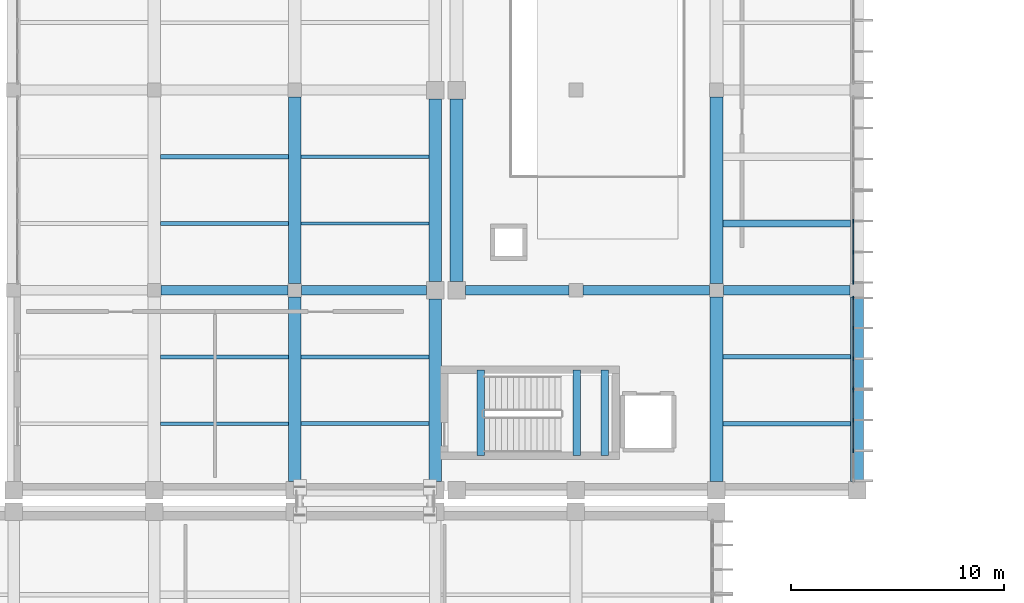
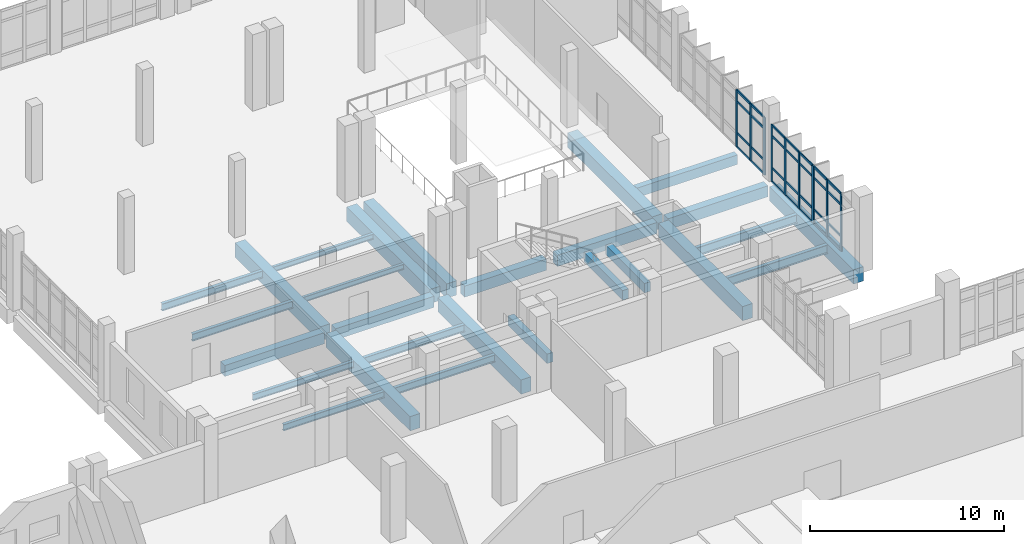
# One storey, part 36 of 90: 38 members, 27 beams, 3 elements without a shape of their own.
"""IFC4 building model written with IfcOpenShell, lengths in metres."""

import ifcopenshell
import ifcopenshell.guid

model = None  # the IFC model being written
_history = None  # IfcOwnerHistory: only IFC2X3 demands one
_inside = {}  # id of a spatial element -> (the spatial element, [elements in it])
_under = {}  # id of a project, library or spatial element -> (it, [spatial elements below it])
_declared = {}  # id of a project -> (the project, [libraries it declares])
_typed = {}  # id of a type object -> (the type object, [elements of that type])
_made_of = {}  # id of a material, layer set ... -> (it, [elements and type objects made of it])


def new_model(schema):
    """Start an empty IFC model of exactly this schema.

    Asked for "IFC4X3", IfcOpenShell would pick the latest addendum, in which some entities
    have other attributes; the version numbers below select the first issue.
    IFC2X3 requires an IfcOwnerHistory on every rooted entity: one is made here for all.
    """
    global model, _history
    if schema == "IFC4X3":
        model = ifcopenshell.file(schema_version=(4, 3, 0, 0))
    else:
        model = ifcopenshell.file(schema=schema)
    _inside.clear()
    _under.clear()
    _declared.clear()
    _typed.clear()
    _made_of.clear()
    _history = None
    if model.schema == "IFC2X3":
        org = make("IfcOrganization", Name="unknown")
        user = make(
            "IfcPersonAndOrganization",
            ThePerson=make("IfcPerson", FamilyName="unknown"),
            TheOrganization=org,
        )
        app = make(
            "IfcApplication",
            ApplicationDeveloper=org,
            Version="unknown",
            ApplicationFullName="unknown",
            ApplicationIdentifier="unknown",
        )
        _history = make(
            "IfcOwnerHistory",
            OwningUser=user,
            OwningApplication=app,
            ChangeAction="ADDED",
            CreationDate=0,
        )
    return model


def make(cls, **values):
    """One entity of the class cls with the attributes given. An attribute that is None is left unset."""
    return model.create_entity(
        cls, **{name: value for name, value in values.items() if value is not None}
    )


def rooted(cls, **values):
    """An entity with a GlobalId (a new one), such as an element, a storey or a relation."""
    return make(cls, GlobalId=ifcopenshell.guid.new(), OwnerHistory=_history, **values)


def si_unit(unit_type, name, prefix=None):
    """IfcSIUnit, for example si_unit("LENGTHUNIT", "METRE", prefix="MILLI")."""
    return make("IfcSIUnit", UnitType=unit_type, Prefix=prefix, Name=name)


def assignment(units):
    """IfcUnitAssignment: the units of a project."""
    return None if units is None else make("IfcUnitAssignment", Units=units)


def point(xyz):
    """IfcCartesianPoint."""
    return None if xyz is None else make("IfcCartesianPoint", Coordinates=xyz)


def direction(xyz):
    """IfcDirection."""
    return None if xyz is None else make("IfcDirection", DirectionRatios=xyz)


def frame(location, z_axis=None, x_axis=None):
    """IfcAxis2Placement3D, a coordinate frame: its origin and axes. An axis left out is left unset."""
    return make(
        "IfcAxis2Placement3D",
        Location=point(location),
        Axis=direction(z_axis),
        RefDirection=direction(x_axis),
    )


def frame_2d(location, x_axis=None):
    """IfcAxis2Placement2D, a coordinate frame in the plane: its origin and x axis."""
    return make(
        "IfcAxis2Placement2D", Location=point(location), RefDirection=direction(x_axis)
    )


def origin():
    """The frame at (0, 0, 0) with its axes left unset."""
    return frame((0.0, 0.0, 0.0))


def origin_2d():
    """The frame at (0, 0) in the plane with its x axis left unset."""
    return frame_2d((0.0, 0.0))


def place(relative_to, where):
    """IfcLocalPlacement: puts the frame where relative to a parent placement (None: the world)."""
    return make(
        "IfcLocalPlacement", PlacementRelTo=relative_to, RelativePlacement=where
    )


def context(
    kind, dimensions, precision=None, world=None, true_north=None, identifier=None
):
    """IfcGeometricRepresentationContext, for example the 3D "Model" context."""
    return make(
        "IfcGeometricRepresentationContext",
        ContextIdentifier=identifier,
        ContextType=kind,
        CoordinateSpaceDimension=dimensions,
        Precision=precision,
        WorldCoordinateSystem=world,
        TrueNorth=true_north,
    )


def subcontext(parent, identifier, kind, view, scale=None):
    """IfcGeometricRepresentationSubContext, for example "Body" below "Model"."""
    return make(
        "IfcGeometricRepresentationSubContext",
        ContextIdentifier=identifier,
        ContextType=kind,
        ParentContext=parent,
        TargetScale=scale,
        TargetView=view,
    )


def project(units=None, contexts=None):
    """IfcProject with its units and contexts."""
    return rooted(
        "IfcProject",
        Name="project",
        RepresentationContexts=contexts,
        UnitsInContext=assignment(units),
    )


def spatial(cls, under=None, at=None, **own):
    """A site, building, storey or space (cls), placed at a placement, below another one or the project."""
    s = rooted(cls, ObjectPlacement=at, **own)
    if under is not None:
        _under.setdefault(under.id(), (under, []))[1].append(s)
    return s


def profile(cls, at=None, kind="AREA", **sizes):
    """A parametric profile (cls). Its sizes go by their IFC names, for example OverallWidth=200.0."""
    return make(cls, ProfileType=kind, Position=at, **sizes)


def rectangle(**sizes):
    """IfcRectangleProfileDef."""
    return profile("IfcRectangleProfileDef", **sizes)


def i_section(**sizes):
    """IfcIShapeProfileDef."""
    return profile("IfcIShapeProfileDef", **sizes)


def extrude(swept, where, along, depth):
    """IfcExtrudedAreaSolid: the profile swept, set in the frame where, extruded along a direction by depth."""
    return make(
        "IfcExtrudedAreaSolid",
        SweptArea=swept,
        Position=where,
        ExtrudedDirection=direction(along),
        Depth=depth,
    )


def shape(context_of_items, identifier, shape_type, items):
    """IfcShapeRepresentation: the items that make up one representation, for example the "Body"."""
    return make(
        "IfcShapeRepresentation",
        ContextOfItems=context_of_items,
        RepresentationIdentifier=identifier,
        RepresentationType=shape_type,
        Items=items,
    )


def material(Name=None, Category=None):
    """IfcMaterial."""
    return make("IfcMaterial", Name=Name, Category=Category)


def layer(
    of_material, thickness, ventilated=None, Name=None, Category=None, Priority=None
):
    """IfcMaterialLayer: one layer of a wall or slab, of a material (None: an air gap)."""
    return make(
        "IfcMaterialLayer",
        Material=of_material,
        LayerThickness=thickness,
        IsVentilated=ventilated,
        Name=Name,
        Category=Category,
        Priority=Priority,
    )


def layer_set(layers, Name=None):
    """IfcMaterialLayerSet."""
    return make("IfcMaterialLayerSet", MaterialLayers=layers, LayerSetName=Name)


def material_profile(
    of_material, cross_section, Name=None, Category=None, Priority=None
):
    """IfcMaterialProfile: a cross section and its material."""
    return make(
        "IfcMaterialProfile",
        Name=Name,
        Material=of_material,
        Profile=cross_section,
        Priority=Priority,
        Category=Category,
    )


def profile_set(profiles, Name=None, composite=None):
    """IfcMaterialProfileSet."""
    return make(
        "IfcMaterialProfileSet",
        Name=Name,
        MaterialProfiles=profiles,
        CompositeProfile=composite,
    )


def made_of(thing, what):
    """Note that an element or type object is made of a material, layer set ...; save() writes the relation."""
    if what is not None:
        _made_of.setdefault(what.id(), (what, []))[1].append(thing)
    return thing


def type_object(cls, material=None, **own):
    """A type object (cls), such as IfcWallType, which elements share."""
    return made_of(rooted(cls, **own), material)


def element(
    cls,
    number,
    at=None,
    inside=None,
    cuts=None,
    type_object=None,
    material=None,
    context=None,
    identifier="Body",
    shape_type=None,
    held_by="IfcProductDefinitionShape",
    body=None,
    shapes=None,
    **own,
):
    """One element of the class cls, such as IfcWall. Its Tag is "e" and its number.

    at: its placement. inside: the storey or other place that contains it. cuts: it is an
    opening in that element (IfcRelVoidsElement). A single representation is given by context,
    identifier, shape_type and body (its items); several are given by shapes. held_by: the class
    of the entity that holds the representations. save() writes the other relations.
    """
    e = rooted(cls, Tag="e%d" % number, ObjectPlacement=at, **own)
    if body is not None:
        shapes = [shape(context, identifier, shape_type, body)]
    if shapes is not None:
        e.Representation = make(held_by, Representations=shapes)
    if inside is not None:
        _inside.setdefault(inside.id(), (inside, []))[1].append(e)
    if cuts is not None:
        rooted(
            "IfcRelVoidsElement", RelatingBuildingElement=cuts, RelatedOpeningElement=e
        )
    if type_object is not None:
        _typed.setdefault(type_object.id(), (type_object, []))[1].append(e)
    return made_of(e, material)


def aggregate(whole, parts):
    """IfcRelAggregates: a whole, such as a stair, and the parts it consists of."""
    return rooted("IfcRelAggregates", RelatingObject=whole, RelatedObjects=parts)


def save(model, path):
    """Write the relations noted so far, then the file.

    IfcRelAggregates (storeys below a building ...), IfcRelContainedInSpatialStructure (elements
    in a storey), IfcRelDefinesByType, IfcRelAssociatesMaterial and IfcRelDeclares: one each for
    every whole, place, type object, material and project.
    """
    for whole, parts in _under.values():
        aggregate(whole, parts)
    for where, things in _inside.values():
        rooted(
            "IfcRelContainedInSpatialStructure",
            RelatedElements=things,
            RelatingStructure=where,
        )
    for kind, things in _typed.values():
        rooted("IfcRelDefinesByType", RelatedObjects=things, RelatingType=kind)
    for what, things in _made_of.values():
        rooted("IfcRelAssociatesMaterial", RelatedObjects=things, RelatingMaterial=what)
    for by, libraries in _declared.values():
        rooted("IfcRelDeclares", RelatingContext=by, RelatedDefinitions=libraries)
    model.write(path)


model = new_model("IFC4")

# Units and contexts
model_context = context("Model", 3, precision=1e-05, world=origin(), true_north=direction((0.0, 1.0)))
body_context = subcontext(model_context, "Body", "Model", "MODEL_VIEW")
ifc_project = project(units=[si_unit("LENGTHUNIT", "METRE"), si_unit("AREAUNIT", "SQUARE_METRE"), si_unit("VOLUMEUNIT", "CUBIC_METRE"), si_unit("PLANEANGLEUNIT", "RADIAN"), si_unit("MASSUNIT", "GRAM", prefix="KILO")], contexts=[model_context])

# Site, building, storey
site_placement = place(None, origin())
site = spatial("IfcSite", under=ifc_project, at=site_placement, CompositionType="ELEMENT")
building_placement = place(site_placement, origin())
building = spatial("IfcBuilding", under=site, at=building_placement, Name="Kelarvand Opera House", CompositionType="ELEMENT")
storey_placement = place(building_placement, frame((0.0, 0.0, 5.39990234375)))
storey = spatial("IfcBuildingStorey", under=building, at=storey_placement, Name="L01", CompositionType="ELEMENT", Elevation=5.39990234375)

# Curtain wall, members
ifc_material_1 = material(Name="Thermally broken aluminium and low-E glazing", Category="aluminium")
ifc_layer_1 = layer(ifc_material_1, 0.179931640625, Name="Thermally broken aluminium and low-E glazing", Category="aluminium")
ifc_layer_set_1 = layer_set([ifc_layer_1], Name="Thermally broken aluminium and low-E glazing")
curtain_wall_type_1 = type_object("IfcCurtainWallType", Name="Unitised Low-E Curtain Wall 4361x3600 Mod 1450 CWF-42", PredefinedType="USERDEFINED", material=ifc_layer_set_1)
curtain_wall_1_placement = place(storey_placement, origin())
curtain_wall_1 = element("IfcCurtainWall", 1, at=curtain_wall_1_placement, inside=storey, type_object=curtain_wall_type_1, Name="V5 L01 Curtain Wall CWF-42 (177)", ObjectType="UNITISED CURTAIN WALL", PredefinedType="USERDEFINED")
ifc_material_2 = material(Name="Thermally broken anodised aluminium", Category="aluminium")
ifc_material_profile_1 = material_profile(ifc_material_2, rectangle(XDim=0.06494140625, YDim=0.179931640625, at=origin_2d()), Name="ALU MULLION 65x180", Category="aluminium")
ifc_profile_set_1 = profile_set([ifc_material_profile_1], Name="Thermally broken anodised aluminium")
member_type_1 = type_object("IfcMemberType", Name="Curtain Wall Mullion 65x180 Aluminium", PredefinedType="MULLION", material=ifc_profile_set_1)
member_1_placement = place(storey_placement, frame((135.02001953125, 99.844970703125, 0.0), z_axis=(0.0, 0.0, 1.0), x_axis=(1.0, 0.0, 0.0)))
member_1 = element("IfcMember", 2, at=member_1_placement, type_object=member_type_1, Name="CWF-42 mullion 2", PredefinedType="MULLION", context=body_context, shape_type="SweptSolid", body=[
    extrude(rectangle(XDim=0.06494140625, YDim=0.179931640625, at=origin_2d()), origin(), (0.0, 0.0, 1.0), 3.60009765625),
])
member_2_placement = place(storey_placement, frame((135.02001953125, 98.389892578125, 0.0), z_axis=(0.0, 0.0, 1.0), x_axis=(1.0, 0.0, 0.0)))
member_2 = element("IfcMember", 3, at=member_2_placement, type_object=member_type_1, Name="CWF-42 mullion 3", PredefinedType="MULLION", context=body_context, shape_type="SweptSolid", body=[
    extrude(rectangle(XDim=0.06494140625, YDim=0.179931640625, at=origin_2d()), origin(), (0.0, 0.0, 1.0), 3.60009765625),
])
member_3_placement = place(storey_placement, frame((135.02001953125, 96.967529296875, 0.0), z_axis=(0.0, 0.0, 1.0), x_axis=(1.0, 0.0, 0.0)))
member_3 = element("IfcMember", 4, at=member_3_placement, type_object=member_type_1, Name="CWF-42 mullion 4", PredefinedType="MULLION", context=body_context, shape_type="SweptSolid", body=[
    extrude(rectangle(XDim=0.06494140625, YDim=0.179931640625, at=origin_2d()), origin(), (0.0, 0.0, 1.0), 3.60009765625),
])

ifc_layer_2 = layer(ifc_material_1, 0.179931640625, Name="Thermally broken aluminium and low-E glazing", Category="aluminium")
ifc_layer_set_2 = layer_set([ifc_layer_2], Name="Thermally broken aluminium and low-E glazing")
curtain_wall_type_2 = type_object("IfcCurtainWallType", Name="Unitised Low-E Curtain Wall 4318x3600 Mod 1450 CWF-43", PredefinedType="USERDEFINED", material=ifc_layer_set_2)
curtain_wall_2_placement = place(storey_placement, origin())
curtain_wall_2 = element("IfcCurtainWall", 5, at=curtain_wall_2_placement, inside=storey, type_object=curtain_wall_type_2, Name="V5 L01 Curtain Wall CWF-43 (178)", ObjectType="UNITISED CURTAIN WALL", PredefinedType="USERDEFINED")
member_4_placement = place(storey_placement, frame((135.02001953125, 96.232421875, 0.0), z_axis=(0.0, 0.0, 1.0), x_axis=(1.0, 0.0, 0.0)))
member_4 = element("IfcMember", 6, at=member_4_placement, type_object=member_type_1, Name="CWF-43 mullion 1", PredefinedType="MULLION", context=body_context, shape_type="SweptSolid", body=[
    extrude(rectangle(XDim=0.06494140625, YDim=0.179931640625, at=origin_2d()), origin(), (0.0, 0.0, 1.0), 3.60009765625),
])
member_5_placement = place(storey_placement, frame((135.02001953125, 94.825439453125, 0.0), z_axis=(0.0, 0.0, 1.0), x_axis=(1.0, 0.0, 0.0)))
member_5 = element("IfcMember", 7, at=member_5_placement, type_object=member_type_1, Name="CWF-43 mullion 2", PredefinedType="MULLION", context=body_context, shape_type="SweptSolid", body=[
    extrude(rectangle(XDim=0.06494140625, YDim=0.179931640625, at=origin_2d()), origin(), (0.0, 0.0, 1.0), 3.60009765625),
])
member_6_placement = place(storey_placement, frame((135.02001953125, 93.385986328125, 0.0), z_axis=(0.0, 0.0, 1.0), x_axis=(1.0, 0.0, 0.0)))
member_6 = element("IfcMember", 8, at=member_6_placement, type_object=member_type_1, Name="CWF-43 mullion 3", PredefinedType="MULLION", context=body_context, shape_type="SweptSolid", body=[
    extrude(rectangle(XDim=0.06494140625, YDim=0.179931640625, at=origin_2d()), origin(), (0.0, 0.0, 1.0), 3.60009765625),
])
member_7_placement = place(storey_placement, frame((135.02001953125, 91.97900390625, 0.0), z_axis=(0.0, 0.0, 1.0), x_axis=(1.0, 0.0, 0.0)))
member_7 = element("IfcMember", 9, at=member_7_placement, type_object=member_type_1, Name="CWF-43 mullion 4", PredefinedType="MULLION", context=body_context, shape_type="SweptSolid", body=[
    extrude(rectangle(XDim=0.06494140625, YDim=0.179931640625, at=origin_2d()), origin(), (0.0, 0.0, 1.0), 3.60009765625),
])

curtain_wall_3_placement = place(storey_placement, origin())
curtain_wall_3 = element("IfcCurtainWall", 10, at=curtain_wall_3_placement, inside=storey, type_object=curtain_wall_type_2, Name="V5 L01 Curtain Wall CWF-43 (179)", ObjectType="UNITISED CURTAIN WALL", PredefinedType="USERDEFINED")
member_8_placement = place(storey_placement, frame((135.02001953125, 91.909912109375, 0.0), z_axis=(0.0, 0.0, 1.0), x_axis=(1.0, 0.0, 0.0)))
member_8 = element("IfcMember", 11, at=member_8_placement, type_object=member_type_1, Name="CWF-43 mullion 1", PredefinedType="MULLION", context=body_context, shape_type="SweptSolid", body=[
    extrude(rectangle(XDim=0.06494140625, YDim=0.179931640625, at=origin_2d()), origin(), (0.0, 0.0, 1.0), 3.60009765625),
])
member_9_placement = place(storey_placement, frame((135.02001953125, 90.501708984375, 0.0), z_axis=(0.0, 0.0, 1.0), x_axis=(1.0, 0.0, 0.0)))
member_9 = element("IfcMember", 12, at=member_9_placement, type_object=member_type_1, Name="CWF-43 mullion 2", PredefinedType="MULLION", context=body_context, shape_type="SweptSolid", body=[
    extrude(rectangle(XDim=0.06494140625, YDim=0.179931640625, at=origin_2d()), origin(), (0.0, 0.0, 1.0), 3.60009765625),
])
member_10_placement = place(storey_placement, frame((135.02001953125, 89.060791015625, 0.0), z_axis=(0.0, 0.0, 1.0), x_axis=(1.0, 0.0, 0.0)))
member_10 = element("IfcMember", 13, at=member_10_placement, type_object=member_type_1, Name="CWF-43 mullion 3", PredefinedType="MULLION", context=body_context, shape_type="SweptSolid", body=[
    extrude(rectangle(XDim=0.06494140625, YDim=0.179931640625, at=origin_2d()), origin(), (0.0, 0.0, 1.0), 3.60009765625),
])

# Member
ifc_material_profile_2 = material_profile(ifc_material_2, rectangle(XDim=0.06494140625, YDim=0.139892578125, at=origin_2d()), Name="ALU TRANSOM 65x140", Category="aluminium")
ifc_profile_set_2 = profile_set([ifc_material_profile_2], Name="Thermally broken anodised aluminium")
member_type_2 = type_object("IfcMemberType", Name="Curtain Wall Transom 65x140 Aluminium", PredefinedType="USERDEFINED", material=ifc_profile_set_2)
member_11_placement = place(storey_placement, frame((135.02001953125, 99.8125, 0.03271484375), z_axis=(0.0, -1.0, 0.0), x_axis=(1.0, 0.0, 0.0)))
member_11 = element("IfcMember", 14, at=member_11_placement, type_object=member_type_2, Name="CWF-42 transom 2.1", ObjectType="TRANSOM", PredefinedType="USERDEFINED", context=body_context, shape_type="SweptSolid", body=[
    extrude(rectangle(XDim=0.06494140625, YDim=0.139892578125, at=origin_2d()), origin(), (0.0, 0.0, 1.0), 1.389892578125),
])

member_12_placement = place(storey_placement, frame((135.02001953125, 99.8125, 0.900146484375), z_axis=(0.0, -1.0, 0.0), x_axis=(1.0, 0.0, 0.0)))
member_12 = element("IfcMember", 15, at=member_12_placement, type_object=member_type_2, Name="CWF-42 transom 2.2", ObjectType="TRANSOM", PredefinedType="USERDEFINED", context=body_context, shape_type="SweptSolid", body=[
    extrude(rectangle(XDim=0.06494140625, YDim=0.139892578125, at=origin_2d()), origin(), (0.0, 0.0, 1.0), 1.389892578125),
])

member_13_placement = place(storey_placement, frame((135.02001953125, 99.8125, 2.900146484375), z_axis=(0.0, -1.0, 0.0), x_axis=(1.0, 0.0, 0.0)))
member_13 = element("IfcMember", 16, at=member_13_placement, type_object=member_type_2, Name="CWF-42 transom 2.3", ObjectType="TRANSOM", PredefinedType="USERDEFINED", context=body_context, shape_type="SweptSolid", body=[
    extrude(rectangle(XDim=0.06494140625, YDim=0.139892578125, at=origin_2d()), origin(), (0.0, 0.0, 1.0), 1.389892578125),
])

member_14_placement = place(storey_placement, frame((135.02001953125, 99.8125, 3.567626953125), z_axis=(0.0, -1.0, 0.0), x_axis=(1.0, 0.0, 0.0)))
member_14 = element("IfcMember", 17, at=member_14_placement, type_object=member_type_2, Name="CWF-42 transom 2.4", ObjectType="TRANSOM", PredefinedType="USERDEFINED", context=body_context, shape_type="SweptSolid", body=[
    extrude(rectangle(XDim=0.06494140625, YDim=0.139892578125, at=origin_2d()), origin(), (0.0, 0.0, 1.0), 1.389892578125),
])

member_15_placement = place(storey_placement, frame((135.02001953125, 98.357421875, 0.03271484375), z_axis=(0.0, -1.0, 0.0), x_axis=(1.0, 0.0, 0.0)))
member_15 = element("IfcMember", 18, at=member_15_placement, type_object=member_type_2, Name="CWF-42 transom 3.1", ObjectType="TRANSOM", PredefinedType="USERDEFINED", context=body_context, shape_type="SweptSolid", body=[
    extrude(rectangle(XDim=0.06494140625, YDim=0.139892578125, at=origin_2d()), origin(), (0.0, 0.0, 1.0), 1.357421875),
])

member_16_placement = place(storey_placement, frame((135.02001953125, 98.357421875, 0.900146484375), z_axis=(0.0, -1.0, 0.0), x_axis=(1.0, 0.0, 0.0)))
member_16 = element("IfcMember", 19, at=member_16_placement, type_object=member_type_2, Name="CWF-42 transom 3.2", ObjectType="TRANSOM", PredefinedType="USERDEFINED", context=body_context, shape_type="SweptSolid", body=[
    extrude(rectangle(XDim=0.06494140625, YDim=0.139892578125, at=origin_2d()), origin(), (0.0, 0.0, 1.0), 1.357421875),
])

member_17_placement = place(storey_placement, frame((135.02001953125, 98.357421875, 2.900146484375), z_axis=(0.0, -1.0, 0.0), x_axis=(1.0, 0.0, 0.0)))
member_17 = element("IfcMember", 20, at=member_17_placement, type_object=member_type_2, Name="CWF-42 transom 3.3", ObjectType="TRANSOM", PredefinedType="USERDEFINED", context=body_context, shape_type="SweptSolid", body=[
    extrude(rectangle(XDim=0.06494140625, YDim=0.139892578125, at=origin_2d()), origin(), (0.0, 0.0, 1.0), 1.357421875),
])

member_18_placement = place(storey_placement, frame((135.02001953125, 98.357421875, 3.567626953125), z_axis=(0.0, -1.0, 0.0), x_axis=(1.0, 0.0, 0.0)))
member_18 = element("IfcMember", 21, at=member_18_placement, type_object=member_type_2, Name="CWF-42 transom 3.4", ObjectType="TRANSOM", PredefinedType="USERDEFINED", context=body_context, shape_type="SweptSolid", body=[
    extrude(rectangle(XDim=0.06494140625, YDim=0.139892578125, at=origin_2d()), origin(), (0.0, 0.0, 1.0), 1.357421875),
])

aggregate(curtain_wall_1, [member_1, member_2, member_3, member_11, member_12, member_13, member_14, member_15, member_16, member_17, member_18])

member_19_placement = place(storey_placement, frame((135.02001953125, 96.199951171875, 0.03271484375), z_axis=(0.0, -1.0, 0.0), x_axis=(1.0, 0.0, 0.0)))
member_19 = element("IfcMember", 22, at=member_19_placement, type_object=member_type_2, Name="CWF-43 transom 1.1", ObjectType="TRANSOM", PredefinedType="USERDEFINED", context=body_context, shape_type="SweptSolid", body=[
    extrude(rectangle(XDim=0.06494140625, YDim=0.139892578125, at=origin_2d()), origin(), (0.0, 0.0, 1.0), 1.342041015625),
])

member_20_placement = place(storey_placement, frame((135.02001953125, 96.199951171875, 0.900146484375), z_axis=(0.0, -1.0, 0.0), x_axis=(1.0, 0.0, 0.0)))
member_20 = element("IfcMember", 23, at=member_20_placement, type_object=member_type_2, Name="CWF-43 transom 1.2", ObjectType="TRANSOM", PredefinedType="USERDEFINED", context=body_context, shape_type="SweptSolid", body=[
    extrude(rectangle(XDim=0.06494140625, YDim=0.139892578125, at=origin_2d()), origin(), (0.0, 0.0, 1.0), 1.342041015625),
])

member_21_placement = place(storey_placement, frame((135.02001953125, 96.199951171875, 2.900146484375), z_axis=(0.0, -1.0, 0.0), x_axis=(1.0, 0.0, 0.0)))
member_21 = element("IfcMember", 24, at=member_21_placement, type_object=member_type_2, Name="CWF-43 transom 1.3", ObjectType="TRANSOM", PredefinedType="USERDEFINED", context=body_context, shape_type="SweptSolid", body=[
    extrude(rectangle(XDim=0.06494140625, YDim=0.139892578125, at=origin_2d()), origin(), (0.0, 0.0, 1.0), 1.342041015625),
])

member_22_placement = place(storey_placement, frame((135.02001953125, 96.199951171875, 3.567626953125), z_axis=(0.0, -1.0, 0.0), x_axis=(1.0, 0.0, 0.0)))
member_22 = element("IfcMember", 25, at=member_22_placement, type_object=member_type_2, Name="CWF-43 transom 1.4", ObjectType="TRANSOM", PredefinedType="USERDEFINED", context=body_context, shape_type="SweptSolid", body=[
    extrude(rectangle(XDim=0.06494140625, YDim=0.139892578125, at=origin_2d()), origin(), (0.0, 0.0, 1.0), 1.342041015625),
])

member_23_placement = place(storey_placement, frame((135.02001953125, 94.79296875, 0.03271484375), z_axis=(0.0, -1.0, 0.0), x_axis=(1.0, 0.0, 0.0)))
member_23 = element("IfcMember", 26, at=member_23_placement, type_object=member_type_2, Name="CWF-43 transom 2.1", ObjectType="TRANSOM", PredefinedType="USERDEFINED", context=body_context, shape_type="SweptSolid", body=[
    extrude(rectangle(XDim=0.06494140625, YDim=0.139892578125, at=origin_2d()), origin(), (0.0, 0.0, 1.0), 1.37451171875),
])

member_24_placement = place(storey_placement, frame((135.02001953125, 94.79296875, 0.900146484375), z_axis=(0.0, -1.0, 0.0), x_axis=(1.0, 0.0, 0.0)))
member_24 = element("IfcMember", 27, at=member_24_placement, type_object=member_type_2, Name="CWF-43 transom 2.2", ObjectType="TRANSOM", PredefinedType="USERDEFINED", context=body_context, shape_type="SweptSolid", body=[
    extrude(rectangle(XDim=0.06494140625, YDim=0.139892578125, at=origin_2d()), origin(), (0.0, 0.0, 1.0), 1.37451171875),
])

member_25_placement = place(storey_placement, frame((135.02001953125, 94.79296875, 2.900146484375), z_axis=(0.0, -1.0, 0.0), x_axis=(1.0, 0.0, 0.0)))
member_25 = element("IfcMember", 28, at=member_25_placement, type_object=member_type_2, Name="CWF-43 transom 2.3", ObjectType="TRANSOM", PredefinedType="USERDEFINED", context=body_context, shape_type="SweptSolid", body=[
    extrude(rectangle(XDim=0.06494140625, YDim=0.139892578125, at=origin_2d()), origin(), (0.0, 0.0, 1.0), 1.37451171875),
])

member_26_placement = place(storey_placement, frame((135.02001953125, 94.79296875, 3.567626953125), z_axis=(0.0, -1.0, 0.0), x_axis=(1.0, 0.0, 0.0)))
member_26 = element("IfcMember", 29, at=member_26_placement, type_object=member_type_2, Name="CWF-43 transom 2.4", ObjectType="TRANSOM", PredefinedType="USERDEFINED", context=body_context, shape_type="SweptSolid", body=[
    extrude(rectangle(XDim=0.06494140625, YDim=0.139892578125, at=origin_2d()), origin(), (0.0, 0.0, 1.0), 1.37451171875),
])

member_27_placement = place(storey_placement, frame((135.02001953125, 93.353515625, 0.03271484375), z_axis=(0.0, -1.0, 0.0), x_axis=(1.0, 0.0, 0.0)))
member_27 = element("IfcMember", 30, at=member_27_placement, type_object=member_type_2, Name="CWF-43 transom 3.1", ObjectType="TRANSOM", PredefinedType="USERDEFINED", context=body_context, shape_type="SweptSolid", body=[
    extrude(rectangle(XDim=0.06494140625, YDim=0.139892578125, at=origin_2d()), origin(), (0.0, 0.0, 1.0), 1.342041015625),
])

member_28_placement = place(storey_placement, frame((135.02001953125, 93.353515625, 0.900146484375), z_axis=(0.0, -1.0, 0.0), x_axis=(1.0, 0.0, 0.0)))
member_28 = element("IfcMember", 31, at=member_28_placement, type_object=member_type_2, Name="CWF-43 transom 3.2", ObjectType="TRANSOM", PredefinedType="USERDEFINED", context=body_context, shape_type="SweptSolid", body=[
    extrude(rectangle(XDim=0.06494140625, YDim=0.139892578125, at=origin_2d()), origin(), (0.0, 0.0, 1.0), 1.342041015625),
])

member_29_placement = place(storey_placement, frame((135.02001953125, 93.353515625, 2.900146484375), z_axis=(0.0, -1.0, 0.0), x_axis=(1.0, 0.0, 0.0)))
member_29 = element("IfcMember", 32, at=member_29_placement, type_object=member_type_2, Name="CWF-43 transom 3.3", ObjectType="TRANSOM", PredefinedType="USERDEFINED", context=body_context, shape_type="SweptSolid", body=[
    extrude(rectangle(XDim=0.06494140625, YDim=0.139892578125, at=origin_2d()), origin(), (0.0, 0.0, 1.0), 1.342041015625),
])

member_30_placement = place(storey_placement, frame((135.02001953125, 93.353515625, 3.567626953125), z_axis=(0.0, -1.0, 0.0), x_axis=(1.0, 0.0, 0.0)))
member_30 = element("IfcMember", 33, at=member_30_placement, type_object=member_type_2, Name="CWF-43 transom 3.4", ObjectType="TRANSOM", PredefinedType="USERDEFINED", context=body_context, shape_type="SweptSolid", body=[
    extrude(rectangle(XDim=0.06494140625, YDim=0.139892578125, at=origin_2d()), origin(), (0.0, 0.0, 1.0), 1.342041015625),
])

aggregate(curtain_wall_2, [member_4, member_5, member_6, member_7, member_19, member_20, member_21, member_22, member_23, member_24, member_25, member_26, member_27, member_28, member_29, member_30])

member_31_placement = place(storey_placement, frame((135.02001953125, 91.87744140625, 0.03271484375), z_axis=(0.0, -1.0, 0.0), x_axis=(1.0, 0.0, 0.0)))
member_31 = element("IfcMember", 34, at=member_31_placement, type_object=member_type_2, Name="CWF-43 transom 1.1", ObjectType="TRANSOM", PredefinedType="USERDEFINED", context=body_context, shape_type="SweptSolid", body=[
    extrude(rectangle(XDim=0.06494140625, YDim=0.139892578125, at=origin_2d()), origin(), (0.0, 0.0, 1.0), 1.34326171875),
])

member_32_placement = place(storey_placement, frame((135.02001953125, 91.87744140625, 0.900146484375), z_axis=(0.0, -1.0, 0.0), x_axis=(1.0, 0.0, 0.0)))
member_32 = element("IfcMember", 35, at=member_32_placement, type_object=member_type_2, Name="CWF-43 transom 1.2", ObjectType="TRANSOM", PredefinedType="USERDEFINED", context=body_context, shape_type="SweptSolid", body=[
    extrude(rectangle(XDim=0.06494140625, YDim=0.139892578125, at=origin_2d()), origin(), (0.0, 0.0, 1.0), 1.34326171875),
])

member_33_placement = place(storey_placement, frame((135.02001953125, 91.87744140625, 2.900146484375), z_axis=(0.0, -1.0, 0.0), x_axis=(1.0, 0.0, 0.0)))
member_33 = element("IfcMember", 36, at=member_33_placement, type_object=member_type_2, Name="CWF-43 transom 1.3", ObjectType="TRANSOM", PredefinedType="USERDEFINED", context=body_context, shape_type="SweptSolid", body=[
    extrude(rectangle(XDim=0.06494140625, YDim=0.139892578125, at=origin_2d()), origin(), (0.0, 0.0, 1.0), 1.34326171875),
])

member_34_placement = place(storey_placement, frame((135.02001953125, 91.87744140625, 3.567626953125), z_axis=(0.0, -1.0, 0.0), x_axis=(1.0, 0.0, 0.0)))
member_34 = element("IfcMember", 37, at=member_34_placement, type_object=member_type_2, Name="CWF-43 transom 1.4", ObjectType="TRANSOM", PredefinedType="USERDEFINED", context=body_context, shape_type="SweptSolid", body=[
    extrude(rectangle(XDim=0.06494140625, YDim=0.139892578125, at=origin_2d()), origin(), (0.0, 0.0, 1.0), 1.34326171875),
])

member_35_placement = place(storey_placement, frame((135.02001953125, 90.46923828125, 0.03271484375), z_axis=(0.0, -1.0, 0.0), x_axis=(1.0, 0.0, 0.0)))
member_35 = element("IfcMember", 38, at=member_35_placement, type_object=member_type_2, Name="CWF-43 transom 2.1", ObjectType="TRANSOM", PredefinedType="USERDEFINED", context=body_context, shape_type="SweptSolid", body=[
    extrude(rectangle(XDim=0.06494140625, YDim=0.139892578125, at=origin_2d()), origin(), (0.0, 0.0, 1.0), 1.3759765625),
])

member_36_placement = place(storey_placement, frame((135.02001953125, 90.46923828125, 0.900146484375), z_axis=(0.0, -1.0, 0.0), x_axis=(1.0, 0.0, 0.0)))
member_36 = element("IfcMember", 39, at=member_36_placement, type_object=member_type_2, Name="CWF-43 transom 2.2", ObjectType="TRANSOM", PredefinedType="USERDEFINED", context=body_context, shape_type="SweptSolid", body=[
    extrude(rectangle(XDim=0.06494140625, YDim=0.139892578125, at=origin_2d()), origin(), (0.0, 0.0, 1.0), 1.3759765625),
])

member_37_placement = place(storey_placement, frame((135.02001953125, 90.46923828125, 2.900146484375), z_axis=(0.0, -1.0, 0.0), x_axis=(1.0, 0.0, 0.0)))
member_37 = element("IfcMember", 40, at=member_37_placement, type_object=member_type_2, Name="CWF-43 transom 2.3", ObjectType="TRANSOM", PredefinedType="USERDEFINED", context=body_context, shape_type="SweptSolid", body=[
    extrude(rectangle(XDim=0.06494140625, YDim=0.139892578125, at=origin_2d()), origin(), (0.0, 0.0, 1.0), 1.3759765625),
])

member_38_placement = place(storey_placement, frame((135.02001953125, 90.46923828125, 3.567626953125), z_axis=(0.0, -1.0, 0.0), x_axis=(1.0, 0.0, 0.0)))
member_38 = element("IfcMember", 41, at=member_38_placement, type_object=member_type_2, Name="CWF-43 transom 2.4", ObjectType="TRANSOM", PredefinedType="USERDEFINED", context=body_context, shape_type="SweptSolid", body=[
    extrude(rectangle(XDim=0.06494140625, YDim=0.139892578125, at=origin_2d()), origin(), (0.0, 0.0, 1.0), 1.3759765625),
])

aggregate(curtain_wall_3, [member_8, member_9, member_10, member_31, member_32, member_33, member_34, member_35, member_36, member_37, member_38])

# Beams
ifc_material_3 = material(Name="Concrete C35/45", Category="concrete")
ifc_material_profile_3 = material_profile(ifc_material_3, rectangle(XDim=0.35009765625, YDim=0.60009765625, at=origin_2d()), Name="RC 350x600", Category="concrete")
ifc_profile_set_3 = profile_set([ifc_material_profile_3], Name="Concrete C35/45")
beam_type_1 = type_object("IfcBeamType", Name="Structural Beam RC 350x600 BM-RC350x600", PredefinedType="BEAM", material=ifc_profile_set_3)
beam_1_placement = place(storey_placement, frame((128.89990234375, 99.7333984375, -0.599853515625), z_axis=(1.0, 0.0, 0.0), x_axis=(0.0, 1.0, 0.0)))
element("IfcBeam", 42, at=beam_1_placement, inside=storey, type_object=beam_type_1, Name="V5 L01 Beam BM-RC350x600", PredefinedType="BEAM", context=body_context, shape_type="SweptSolid", body=[
    extrude(rectangle(XDim=0.35009765625, YDim=0.60009765625, at=origin_2d()), origin(), (0.0, 0.0, 1.0), 6.0),
])
for number, where, z_axis, x_axis, name in (
    (43, (117.5400390625, 88.85009765625, -0.52001953125), (0.0, 1.0, 0.0), (-1.0, 0.0, 0.0), "C7 Stair Landing Support Beam L01"),
    (44, (122.050048828125, 88.85009765625, 1.900146484375), (0.0, 1.0, 0.0), (-1.0, 0.0, 0.0), "C7 Stair Half-Landing Beam 1 L01"),
    (45, (123.35009765625, 88.85009765625, 1.900146484375), (0.0, 1.0, 0.0), (-1.0, 0.0, 0.0), "C7 Stair Half-Landing Beam 2 L01"),
):
    element("IfcBeam", number, at=place(storey_placement, frame(where, z_axis=z_axis, x_axis=x_axis)), inside=storey, type_object=beam_type_1, Name=name, PredefinedType="BEAM", context=body_context, shape_type="SweptSolid", body=[
        extrude(rectangle(XDim=0.35009765625, YDim=0.60009765625, at=origin_2d()), origin(), (0.0, 0.0, 1.0), 4.0),
    ])
ifc_material_4 = material(Name="Concrete C40/50", Category="concrete")
ifc_material_profile_4 = material_profile(ifc_material_4, rectangle(XDim=0.449951171875, YDim=0.699951171875, at=origin_2d()), Name="RC 450x700", Category="concrete")
ifc_profile_set_4 = profile_set([ifc_material_profile_4], Name="Concrete C40/50")
beam_type_2 = type_object("IfcBeamType", Name="Structural Beam RC 450x700 BM-RC450x700", PredefinedType="BEAM", material=ifc_profile_set_4)
beam_2_placement = place(storey_placement, frame((102.52490234375, 96.60009765625, -0.64990234375), z_axis=(1.0, 0.0, 0.0), x_axis=(0.0, 1.0, 0.0)))
element("IfcBeam", 46, at=beam_2_placement, inside=storey, type_object=beam_type_2, Name="V5 L01 Beam BM-RC450x700", PredefinedType="BEAM", context=body_context, shape_type="SweptSolid", body=[
    extrude(rectangle(XDim=0.449951171875, YDim=0.699951171875, at=origin_2d()), origin(), (0.0, 0.0, 1.0), 5.9501953125),
])
beam_3_placement = place(storey_placement, frame((109.125, 96.60009765625, -0.64990234375), z_axis=(1.0, 0.0, 0.0), x_axis=(0.0, 1.0, 0.0)))
element("IfcBeam", 47, at=beam_3_placement, inside=storey, type_object=beam_type_2, Name="V5 L01 Beam BM-RC450x700", PredefinedType="BEAM", context=body_context, shape_type="SweptSolid", body=[
    extrude(rectangle(XDim=0.449951171875, YDim=0.699951171875, at=origin_2d()), origin(), (0.0, 0.0, 1.0), 5.864990234375),
])
beam_4_placement = place(storey_placement, frame((116.81005859375, 96.60009765625, -0.64990234375), z_axis=(1.0, 0.0, 0.0), x_axis=(0.0, 1.0, 0.0)))
element("IfcBeam", 48, at=beam_4_placement, inside=storey, type_object=beam_type_2, Name="V5 L01 Beam BM-RC450x700", PredefinedType="BEAM", context=body_context, shape_type="SweptSolid", body=[
    extrude(rectangle(XDim=0.449951171875, YDim=0.699951171875, at=origin_2d()), origin(), (0.0, 0.0, 1.0), 4.864990234375),
])
for number, where, z_axis, x_axis, name in (
    (49, (122.324951171875, 96.60009765625, -0.64990234375), (1.0, 0.0, 0.0), (0.0, 1.0, 0.0), "V5 L01 Beam BM-RC450x700"),
    (50, (128.925048828125, 96.60009765625, -0.64990234375), (1.0, 0.0, 0.0), (0.0, 1.0, 0.0), "V5 L01 Beam BM-RC450x700"),
):
    element("IfcBeam", number, at=place(storey_placement, frame(where, z_axis=z_axis, x_axis=x_axis)), inside=storey, type_object=beam_type_2, Name=name, PredefinedType="BEAM", context=body_context, shape_type="SweptSolid", body=[
        extrude(rectangle(XDim=0.449951171875, YDim=0.699951171875, at=origin_2d()), origin(), (0.0, 0.0, 1.0), 5.949951171875),
    ])
ifc_material_profile_5 = material_profile(ifc_material_4, rectangle(XDim=0.60009765625, YDim=0.89990234375, at=origin_2d()), Name="RC 600x900", Category="concrete")
ifc_profile_set_5 = profile_set([ifc_material_profile_5], Name="Concrete C40/50")
beam_type_3 = type_object("IfcBeamType", Name="Structural Beam RC 600x900 BM-RC600x900", PredefinedType="BEAM", material=ifc_profile_set_5)
beam_5_placement = place(storey_placement, frame((108.800048828125, 87.610107421875, -0.75), z_axis=(0.0, 1.0, 0.0), x_axis=(-1.0, 0.0, 0.0)))
element("IfcBeam", 51, at=beam_5_placement, inside=storey, type_object=beam_type_3, Name="V5 L01 Beam BM-RC600x900", PredefinedType="BEAM", context=body_context, shape_type="SweptSolid", body=[
    extrude(rectangle(XDim=0.60009765625, YDim=0.89990234375, at=origin_2d()), origin(), (0.0, 0.0, 1.0), 8.664794921875),
])
beam_6_placement = place(storey_placement, frame((108.800048828125, 96.925048828125, -0.75), z_axis=(0.0, 1.0, 0.0), x_axis=(-1.0, 0.0, 0.0)))
element("IfcBeam", 52, at=beam_6_placement, inside=storey, type_object=beam_type_3, Name="V5 L01 Beam BM-RC600x900", PredefinedType="BEAM", context=body_context, shape_type="SweptSolid", body=[
    extrude(rectangle(XDim=0.60009765625, YDim=0.89990234375, at=origin_2d()), origin(), (0.0, 0.0, 1.0), 8.75),
])
beam_7_placement = place(storey_placement, frame((115.39990234375, 87.610107421875, -0.75), z_axis=(0.0, 1.0, 0.0), x_axis=(-1.0, 0.0, 0.0)))
element("IfcBeam", 53, at=beam_7_placement, inside=storey, type_object=beam_type_3, Name="V5 L01 Beam BM-RC600x900", PredefinedType="BEAM", context=body_context, shape_type="SweptSolid", body=[
    extrude(rectangle(XDim=0.60009765625, YDim=0.89990234375, at=origin_2d()), origin(), (0.0, 0.0, 1.0), 8.579833984375),
])
for number, where, z_axis, x_axis, name in (
    (54, (115.39990234375, 97.010009765625, -0.75), (0.0, 1.0, 0.0), (-1.0, 0.0, 0.0), "V5 L01 Beam BM-RC600x900"),
    (55, (116.39990234375, 97.010009765625, -0.75), (0.0, 1.0, 0.0), (-1.0, 0.0, 0.0), "V5 L01 Beam BM-RC600x900"),
):
    element("IfcBeam", number, at=place(storey_placement, frame(where, z_axis=z_axis, x_axis=x_axis)), inside=storey, type_object=beam_type_3, Name=name, PredefinedType="BEAM", context=body_context, shape_type="SweptSolid", body=[
        extrude(rectangle(XDim=0.60009765625, YDim=0.89990234375, at=origin_2d()), origin(), (0.0, 0.0, 1.0), 8.580078125),
    ])
beam_8_placement = place(storey_placement, frame((128.60009765625, 87.610107421875, -0.75), z_axis=(0.0, 1.0, 0.0), x_axis=(-1.0, 0.0, 0.0)))
element("IfcBeam", 56, at=beam_8_placement, inside=storey, type_object=beam_type_3, Name="V5 L01 Beam BM-RC600x900", PredefinedType="BEAM", context=body_context, shape_type="SweptSolid", body=[
    extrude(rectangle(XDim=0.60009765625, YDim=0.89990234375, at=origin_2d()), origin(), (0.0, 0.0, 1.0), 8.664794921875),
])
beam_9_placement = place(storey_placement, frame((128.60009765625, 96.925048828125, -0.75), z_axis=(0.0, 1.0, 0.0), x_axis=(-1.0, 0.0, 0.0)))
element("IfcBeam", 57, at=beam_9_placement, inside=storey, type_object=beam_type_3, Name="V5 L01 Beam BM-RC600x900", PredefinedType="BEAM", context=body_context, shape_type="SweptSolid", body=[
    extrude(rectangle(XDim=0.60009765625, YDim=0.89990234375, at=origin_2d()), origin(), (0.0, 0.0, 1.0), 8.75),
])
ifc_material_5 = material(Name="Steel S355", Category="steel")
ifc_material_profile_6 = material_profile(ifc_material_5, i_section(OverallWidth=0.159912109375, OverallDepth=0.330078125, WebThickness=0.007568359375, FlangeThickness=0.011474609375, at=origin_2d()), Name="IPE 330", Category="steel")
ifc_profile_set_6 = profile_set([ifc_material_profile_6], Name="Steel S355")
beam_type_4 = type_object("IfcBeamType", Name="Structural Joist IPE 330 JS-IPE330", PredefinedType="JOIST", material=ifc_profile_set_6)
for number, where, z_axis, x_axis, name in (
    (58, (109.10009765625, 99.7333984375, -0.46484375), (1.0, 0.0, 0.0), (0.0, 1.0, 0.0), "V5 L01 Beam JS-IPE330"),
    (59, (109.10009765625, 102.86669921875, -0.46484375), (1.0, 0.0, 0.0), (0.0, 1.0, 0.0), "V5 L01 Beam JS-IPE330"),
):
    element("IfcBeam", number, at=place(storey_placement, frame(where, z_axis=z_axis, x_axis=x_axis)), inside=storey, type_object=beam_type_4, Name=name, PredefinedType="JOIST", context=body_context, shape_type="SweptSolid", body=[
        extrude(i_section(OverallWidth=0.159912109375, OverallDepth=0.330078125, WebThickness=0.007568359375, FlangeThickness=0.011474609375, at=origin_2d()), origin(), (0.0, 0.0, 1.0), 6.0),
    ])
ifc_material_profile_7 = material_profile(ifc_material_5, i_section(OverallWidth=0.179931640625, OverallDepth=0.39990234375, WebThickness=0.008544921875, FlangeThickness=0.013427734375, at=origin_2d()), Name="IPE 400", Category="steel")
ifc_profile_set_7 = profile_set([ifc_material_profile_7], Name="Steel S355")
beam_type_5 = type_object("IfcBeamType", Name="Structural Joist IPE 400 JS-IPE400", PredefinedType="JOIST", material=ifc_profile_set_7)
for number, where, z_axis, x_axis, name in (
    (60, (102.5, 90.333251953125, -0.5), (1.0, 0.0, 0.0), (0.0, 1.0, 0.0), "V5 L01 Beam JS-IPE400"),
    (61, (102.5, 93.466796875, -0.5), (1.0, 0.0, 0.0), (0.0, 1.0, 0.0), "V5 L01 Beam JS-IPE400"),
):
    element("IfcBeam", number, at=place(storey_placement, frame(where, z_axis=z_axis, x_axis=x_axis)), inside=storey, type_object=beam_type_5, Name=name, PredefinedType="JOIST", context=body_context, shape_type="SweptSolid", body=[
        extrude(i_section(OverallWidth=0.179931640625, OverallDepth=0.39990234375, WebThickness=0.008544921875, FlangeThickness=0.013427734375, at=origin_2d()), origin(), (0.0, 0.0, 1.0), 6.0),
    ])
ifc_material_profile_8 = material_profile(ifc_material_5, i_section(OverallWidth=0.18994140625, OverallDepth=0.449951171875, WebThickness=0.009521484375, FlangeThickness=0.0146484375, at=origin_2d()), Name="IPE 450", Category="steel")
ifc_profile_set_8 = profile_set([ifc_material_profile_8], Name="Steel S355")
beam_type_6 = type_object("IfcBeamType", Name="Structural Joist IPE 450 JS-IPE450", PredefinedType="JOIST", material=ifc_profile_set_8)
for number, where, z_axis, x_axis, name in (
    (62, (102.5, 99.7333984375, -0.52490234375), (1.0, 0.0, 0.0), (0.0, 1.0, 0.0), "V5 L01 Beam JS-IPE450"),
    (63, (102.5, 102.86669921875, -0.52490234375), (1.0, 0.0, 0.0), (0.0, 1.0, 0.0), "V5 L01 Beam JS-IPE450"),
    (64, (109.10009765625, 90.333251953125, -0.52490234375), (1.0, 0.0, 0.0), (0.0, 1.0, 0.0), "V5 L01 Beam JS-IPE450"),
    (65, (109.10009765625, 93.466796875, -0.52490234375), (1.0, 0.0, 0.0), (0.0, 1.0, 0.0), "V5 L01 Beam JS-IPE450"),
):
    element("IfcBeam", number, at=place(storey_placement, frame(where, z_axis=z_axis, x_axis=x_axis)), inside=storey, type_object=beam_type_6, Name=name, PredefinedType="JOIST", context=body_context, shape_type="SweptSolid", body=[
        extrude(i_section(OverallWidth=0.18994140625, OverallDepth=0.449951171875, WebThickness=0.009521484375, FlangeThickness=0.0146484375, at=origin_2d()), origin(), (0.0, 0.0, 1.0), 6.0),
    ])
ifc_material_profile_9 = material_profile(ifc_material_5, i_section(OverallWidth=0.2099609375, OverallDepth=0.550048828125, WebThickness=0.010986328125, FlangeThickness=0.01708984375, at=origin_2d()), Name="IPE 550", Category="steel")
ifc_profile_set_9 = profile_set([ifc_material_profile_9], Name="Steel S355")
beam_type_7 = type_object("IfcBeamType", Name="Structural Joist IPE 550 JS-IPE550", PredefinedType="JOIST", material=ifc_profile_set_9)
for number, where, z_axis, x_axis, name in (
    (66, (128.89990234375, 90.333251953125, -0.574951171875), (1.0, 0.0, 0.0), (0.0, 1.0, 0.0), "V5 L01 Beam JS-IPE550"),
    (67, (128.89990234375, 93.466796875, -0.574951171875), (1.0, 0.0, 0.0), (0.0, 1.0, 0.0), "V5 L01 Beam JS-IPE550"),
):
    element("IfcBeam", number, at=place(storey_placement, frame(where, z_axis=z_axis, x_axis=x_axis)), inside=storey, type_object=beam_type_7, Name=name, PredefinedType="JOIST", context=body_context, shape_type="SweptSolid", body=[
        extrude(i_section(OverallWidth=0.2099609375, OverallDepth=0.550048828125, WebThickness=0.010986328125, FlangeThickness=0.01708984375, at=origin_2d()), origin(), (0.0, 0.0, 1.0), 6.0),
    ])
ifc_material_profile_10 = material_profile(ifc_material_4, rectangle(XDim=0.60009765625, YDim=0.89990234375, at=origin_2d()), Name="RC 600x900", Category="concrete")
ifc_profile_set_10 = profile_set([ifc_material_profile_10], Name="Concrete C40/50")
beam_type_8 = type_object("IfcBeamType", Name="Structural Spandrel RC 600x900 SP-RC600x900E", PredefinedType="SPANDREL", material=ifc_profile_set_10)
beam_10_placement = place(storey_placement, frame((135.199951171875, 87.610107421875, -0.75), z_axis=(0.0, 1.0, 0.0), x_axis=(-1.0, 0.0, 0.0)))
element("IfcBeam", 68, at=beam_10_placement, inside=storey, type_object=beam_type_8, Name="V5 L01 Beam SP-RC600x900E", PredefinedType="SPANDREL", context=body_context, shape_type="SweptSolid", body=[
    extrude(rectangle(XDim=0.60009765625, YDim=0.89990234375, at=origin_2d()), origin(), (0.0, 0.0, 1.0), 8.664794921875),
])

save(model, "model.ifc")
